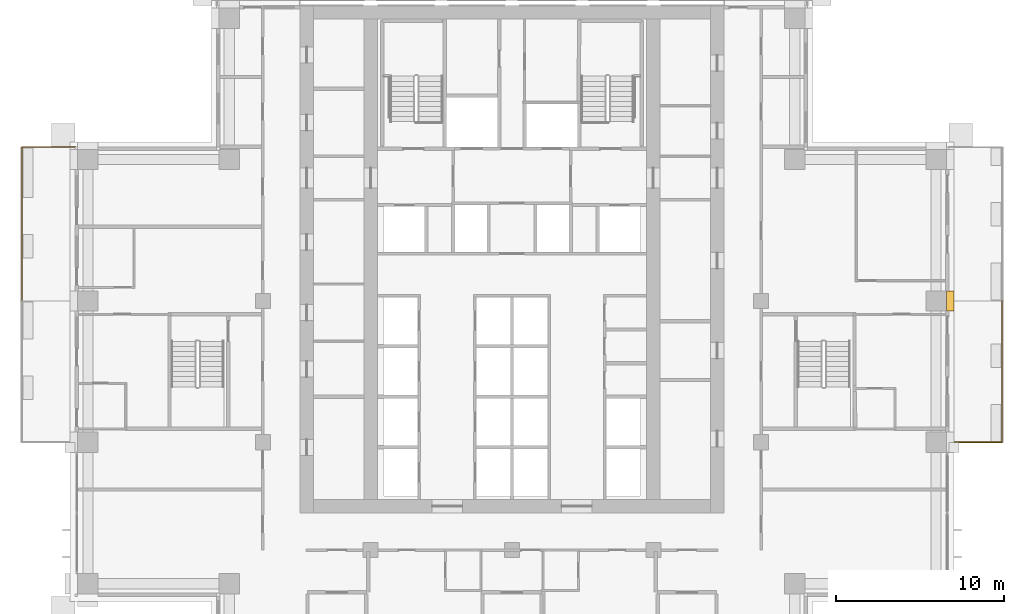
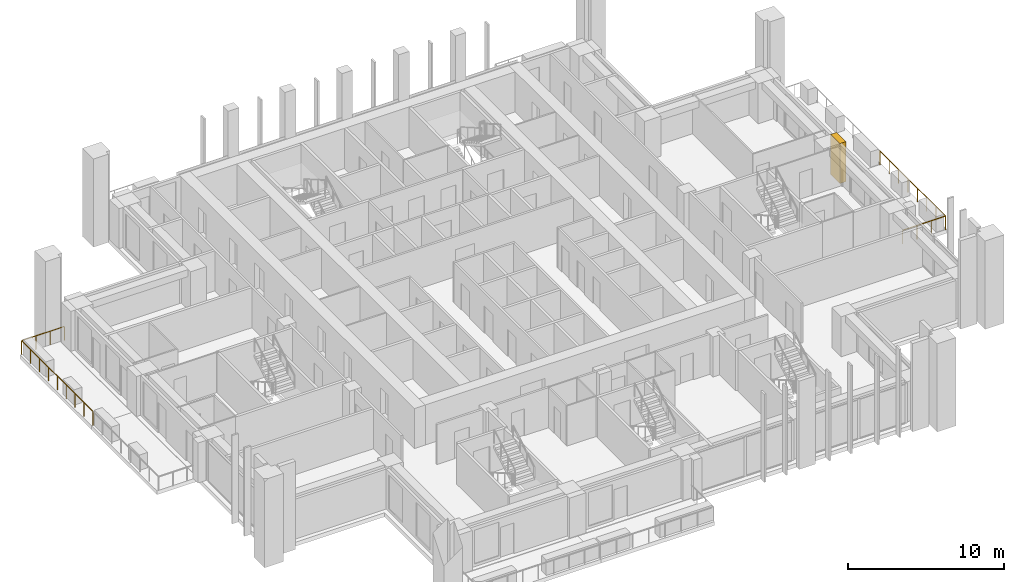
# One storey, part 15 of 17: 2 railings, 1 covering.
"""IFC4 building model written with IfcOpenShell, lengths in metres."""

from ifc_helpers import new_model, si_unit, direction, frame, origin, origin_2d, place, context, subcontext, project, spatial, polyline, rectangle, outline, extrude, material, type_object, element, save


model = new_model("IFC4")

# Units and contexts
model_context = context("Model", 3, precision=1e-05, world=origin(), true_north=direction((0.0, 1.0)))
body_context = subcontext(model_context, "Body", "Model", "MODEL_VIEW")
ifc_project = project(units=[si_unit("LENGTHUNIT", "METRE"), si_unit("AREAUNIT", "SQUARE_METRE"), si_unit("VOLUMEUNIT", "CUBIC_METRE"), si_unit("PLANEANGLEUNIT", "RADIAN"), si_unit("MASSUNIT", "GRAM", prefix="KILO")], contexts=[model_context])

# Site, building, storey
site_placement = place(None, origin())
site = spatial("IfcSite", under=ifc_project, at=site_placement, CompositionType="ELEMENT")
building_placement = place(site_placement, origin())
building = spatial("IfcBuilding", under=site, at=building_placement, Name="Vermilion Ogive Tower", CompositionType="ELEMENT")
storey_placement = place(building_placement, frame((0.0, 0.0, 97.64990234375)))
storey = spatial("IfcBuildingStorey", under=building, at=storey_placement, Name="L24", CompositionType="ELEMENT", Elevation=97.64990234375)

# Railings
ifc_material_1 = material(Name="Stainless steel and glass", Category="steel")
railing_type = type_object("IfcRailingType", Name="Balcony guard", PredefinedType="GUARDRAIL", material=ifc_material_1)
railing_1_placement = place(storey_placement, frame((25.949951171875, -4.199951171875, -0.039794921875)))
element("IfcRailing", 1, at=railing_1_placement, inside=storey, type_object=railing_type, Name="Guard E02", PredefinedType="GUARDRAIL", context=body_context, shape_type="SweptSolid", body=[
    extrude(rectangle(XDim=0.048095703125, YDim=0.048095703125, at=origin_2d()), frame((0.0, 0.0, 1.076171875), z_axis=(1.0, 0.0, 0.0), x_axis=(0.0, 1.0, 0.0)), (0.0, 0.0, 1.0), 3.16015625),
    extrude(rectangle(XDim=0.048095703125, YDim=0.048095703125, at=origin_2d()), frame((3.16015625, 0.0, 1.076171875), z_axis=(0.0, 1.0, 0.0), x_axis=(-1.0, 0.0, 0.0)), (0.0, 0.0, 1.0), 8.39990234375),
    extrude(rectangle(XDim=0.0419921875, YDim=0.0419921875, at=origin_2d()), origin(), (0.0, 0.0, 1.0), 1.052001953125),
    extrude(rectangle(XDim=0.0419921875, YDim=0.0419921875, at=origin_2d()), frame((1.053466796875, 0.0, 0.0)), (0.0, 0.0, 1.0), 1.052001953125),
    extrude(rectangle(XDim=0.0419921875, YDim=0.0419921875, at=origin_2d()), frame((2.106689453125, 0.0, 0.0)), (0.0, 0.0, 1.0), 1.052001953125),
    extrude(rectangle(XDim=0.0419921875, YDim=0.0419921875, at=origin_2d()), frame((3.16015625, 0.0, 0.0)), (0.0, 0.0, 1.0), 1.052001953125),
    extrude(rectangle(XDim=0.0419921875, YDim=0.0419921875, at=origin_2d()), frame((3.16015625, 1.199951171875, 0.0)), (0.0, 0.0, 1.0), 1.052001953125),
    extrude(rectangle(XDim=0.0419921875, YDim=0.0419921875, at=origin_2d()), frame((3.16015625, 2.39990234375, 0.0)), (0.0, 0.0, 1.0), 1.052001953125),
    extrude(rectangle(XDim=0.0419921875, YDim=0.0419921875, at=origin_2d()), frame((3.16015625, 3.599853515625, 0.0)), (0.0, 0.0, 1.0), 1.052001953125),
    extrude(rectangle(XDim=0.0419921875, YDim=0.0419921875, at=origin_2d()), frame((3.16015625, 4.800048828125, 0.0)), (0.0, 0.0, 1.0), 1.052001953125),
    extrude(rectangle(XDim=0.0419921875, YDim=0.0419921875, at=origin_2d()), frame((3.16015625, 6.0, 0.0)), (0.0, 0.0, 1.0), 1.052001953125),
    extrude(rectangle(XDim=0.0419921875, YDim=0.0419921875, at=origin_2d()), frame((3.16015625, 7.199951171875, 0.0)), (0.0, 0.0, 1.0), 1.052001953125),
    extrude(rectangle(XDim=0.0419921875, YDim=0.0419921875, at=origin_2d()), frame((3.16015625, 8.39990234375, 0.0)), (0.0, 0.0, 1.0), 1.052001953125),
])
railing_2_placement = place(storey_placement, frame((-25.949951171875, 13.35009765625, -0.039794921875)))
element("IfcRailing", 2, at=railing_2_placement, inside=storey, type_object=railing_type, Name="Guard W01", PredefinedType="GUARDRAIL", context=body_context, shape_type="SweptSolid", body=[
    extrude(rectangle(XDim=0.048095703125, YDim=0.048095703125, at=origin_2d()), frame((0.0, 0.0, 1.076171875), z_axis=(-1.0, 0.0, 0.0), x_axis=(0.0, -1.0, 0.0)), (0.0, 0.0, 1.0), 3.16015625),
    extrude(rectangle(XDim=0.048095703125, YDim=0.048095703125, at=origin_2d()), frame((-3.16015625, 0.0, 1.076171875), z_axis=(0.0, -1.0, 0.0), x_axis=(1.0, 0.0, 0.0)), (0.0, 0.0, 1.0), 9.150146484375),
    extrude(rectangle(XDim=0.0419921875, YDim=0.0419921875, at=origin_2d()), origin(), (0.0, 0.0, 1.0), 1.052001953125),
    extrude(rectangle(XDim=0.0419921875, YDim=0.0419921875, at=origin_2d()), frame((-1.053466796875, 0.0, 0.0)), (0.0, 0.0, 1.0), 1.052001953125),
    extrude(rectangle(XDim=0.0419921875, YDim=0.0419921875, at=origin_2d()), frame((-2.106689453125, 0.0, 0.0)), (0.0, 0.0, 1.0), 1.052001953125),
    extrude(rectangle(XDim=0.0419921875, YDim=0.0419921875, at=origin_2d()), frame((-3.16015625, 0.0, 0.0)), (0.0, 0.0, 1.0), 1.052001953125),
    extrude(rectangle(XDim=0.0419921875, YDim=0.0419921875, at=origin_2d()), frame((-3.16015625, -1.143798828125, 0.0)), (0.0, 0.0, 1.0), 1.052001953125),
    extrude(rectangle(XDim=0.0419921875, YDim=0.0419921875, at=origin_2d()), frame((-3.16015625, -2.28759765625, 0.0)), (0.0, 0.0, 1.0), 1.052001953125),
    extrude(rectangle(XDim=0.0419921875, YDim=0.0419921875, at=origin_2d()), frame((-3.16015625, -3.431396484375, 0.0)), (0.0, 0.0, 1.0), 1.052001953125),
    extrude(rectangle(XDim=0.0419921875, YDim=0.0419921875, at=origin_2d()), frame((-3.16015625, -4.5751953125, 0.0)), (0.0, 0.0, 1.0), 1.052001953125),
    extrude(rectangle(XDim=0.0419921875, YDim=0.0419921875, at=origin_2d()), frame((-3.16015625, -5.71875, 0.0)), (0.0, 0.0, 1.0), 1.052001953125),
    extrude(rectangle(XDim=0.0419921875, YDim=0.0419921875, at=origin_2d()), frame((-3.16015625, -6.862548828125, 0.0)), (0.0, 0.0, 1.0), 1.052001953125),
    extrude(rectangle(XDim=0.0419921875, YDim=0.0419921875, at=origin_2d()), frame((-3.16015625, -8.00634765625, 0.0)), (0.0, 0.0, 1.0), 1.052001953125),
    extrude(rectangle(XDim=0.0419921875, YDim=0.0419921875, at=origin_2d()), frame((-3.16015625, -9.150146484375, 0.0)), (0.0, 0.0, 1.0), 1.052001953125),
])

# Covering
ifc_material_2 = material(Name="Stone cladding", Category="masonry")
covering_type = type_object("IfcCoveringType", Name="Stone pier", PredefinedType="CLADDING", material=ifc_material_2)
covering_placement = place(storey_placement, origin())
element("IfcCovering", 3, at=covering_placement, inside=storey, type_object=covering_type, Name="Stone pier P+0252+042", PredefinedType="CLADDING", context=body_context, shape_type="SweptSolid", body=[
    extrude(outline(polyline([(25.800048828125, 4.800048828125), (25.800048828125, 4.800048828125), (26.25, 4.800048828125), (26.25, 3.60009765625), (25.800048828125, 3.60009765625), (25.800048828125, 3.60009765625), (25.800048828125, 4.800048828125)])), origin(), (0.0, 0.0, 1.0), 3.130126953125),
])

save(model, "model.ifc")
